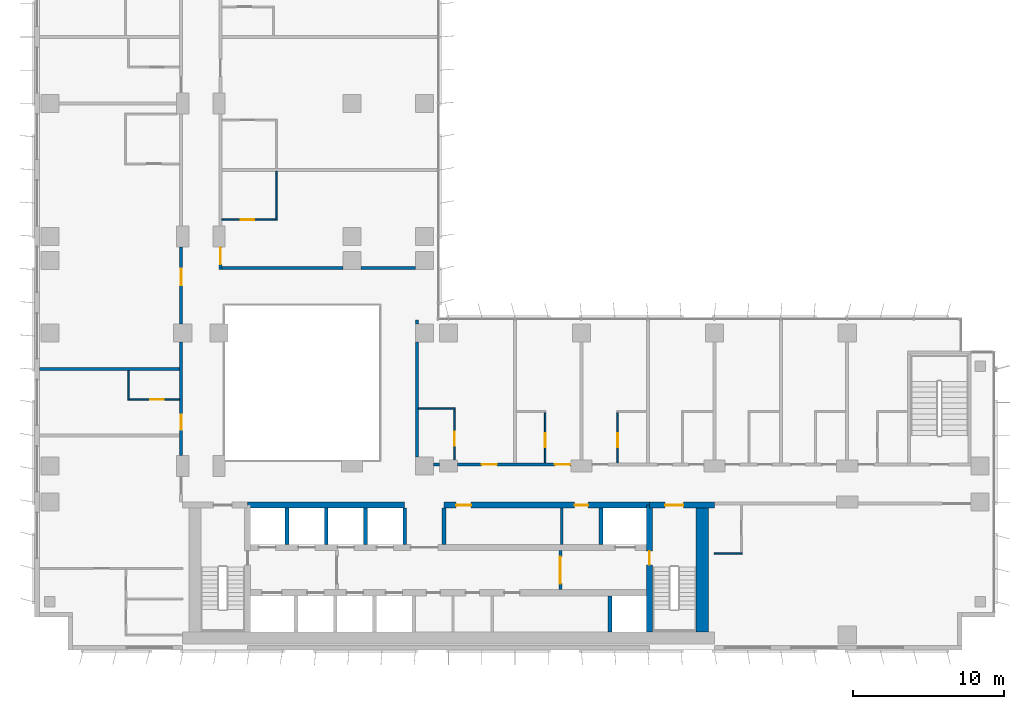
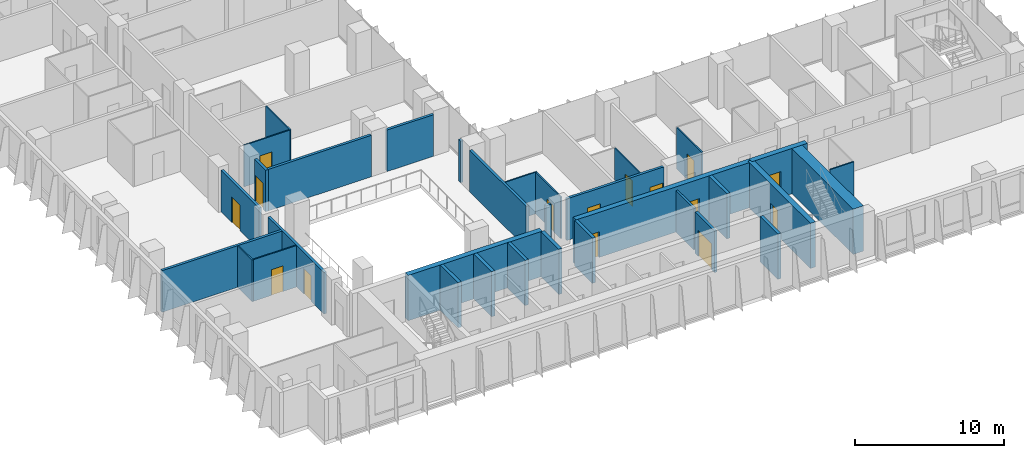
# One storey, part 13 of 22: 33 walls, 15 doors, 15 openings.
"""IFC4 building model written with IfcOpenShell, lengths in metres."""

from ifc_helpers import new_model, si_unit, direction, frame, frame_2d, origin, place, context, subcontext, project, spatial, rectangle, extrude, material, layer, layer_set, type_object, element, fill, save


model = new_model("IFC4")

# Units and contexts
model_context = context("Model", 3, precision=1e-05, world=origin(), true_north=direction((0.0, 1.0)))
body_context = subcontext(model_context, "Body", "Model", "MODEL_VIEW")
ifc_project = project(units=[si_unit("LENGTHUNIT", "METRE"), si_unit("AREAUNIT", "SQUARE_METRE"), si_unit("VOLUMEUNIT", "CUBIC_METRE"), si_unit("PLANEANGLEUNIT", "RADIAN"), si_unit("MASSUNIT", "GRAM", prefix="KILO")], contexts=[model_context])

# Site, building, storey
site_placement = place(None, origin())
site = spatial("IfcSite", under=ifc_project, at=site_placement, CompositionType="ELEMENT")
building_placement = place(site_placement, origin())
building = spatial("IfcBuilding", under=site, at=building_placement, Name="Kemantara Hotel Tower", CompositionType="ELEMENT")
storey_placement = place(building_placement, frame((0.0, 0.0, 111.10009765625)))
storey = spatial("IfcBuildingStorey", under=building, at=storey_placement, Name="L26", CompositionType="ELEMENT", Elevation=111.10009765625)

# Walls
ifc_material_1 = material(Name="Concrete fc 70 MPa", Category="concrete")
ifc_layer_1 = layer(ifc_material_1, 0.25)
ifc_layer_set_1 = layer_set([ifc_layer_1], Name="Concrete fc 70 MPa")
wall_type_1 = type_object("IfcWallType", Name="CORE WALL 250 FC70", PredefinedType="SHEAR", material=ifc_layer_set_1)
wall_1_placement = place(storey_placement, frame((38.10009765625, 1.199951171875, 0.0), z_axis=(0.0, 0.0, 1.0), x_axis=(0.0, 1.0, 0.0)))
element("IfcWall", 1, at=wall_1_placement, inside=storey, type_object=wall_type_1, Name="CORE WALL CW-DS38.1", PredefinedType="SHEAR", context=body_context, shape_type="SweptSolid", body=[
    extrude(rectangle(XDim=2.400146484375, YDim=0.25, at=frame_2d((1.2001953125, 0.0))), origin(), (0.0, 0.0, 1.0), 3.699951171875),
])
for number, where, z_axis, x_axis, name in (
    (2, (16.699951171875, 7.0, 0.0), (0.0, 0.0, 1.0), (0.0, 1.0, 0.0), "CORE WALL CW-DN16.7"),
    (3, (19.300048828125, 7.0, 0.0), (0.0, 0.0, 1.0), (0.0, 1.0, 0.0), "CORE WALL CW-DN19.3"),
    (4, (21.89990234375, 7.0, 0.0), (0.0, 0.0, 1.0), (0.0, 1.0, 0.0), "CORE WALL CW-DN21.9"),
    (5, (24.5, 7.0, 0.0), (0.0, 0.0, 1.0), (0.0, 1.0, 0.0), "CORE WALL CW-DN24.5"),
    (6, (27.10009765625, 7.0, 0.0), (0.0, 0.0, 1.0), (0.0, 1.0, 0.0), "CORE WALL CW-DN27.1"),
    (7, (37.5, 7.0, 0.0), (0.0, 0.0, 1.0), (0.0, 1.0, 0.0), "CORE WALL CW-DN37.5"),
):
    element("IfcWall", number, at=place(storey_placement, frame(where, z_axis=z_axis, x_axis=x_axis)), inside=storey, type_object=wall_type_1, Name=name, PredefinedType="SHEAR", context=body_context, shape_type="SweptSolid", body=[
        extrude(rectangle(XDim=2.39990234375, YDim=0.25, at=frame_2d((1.199951171875, 0.0))), origin(), (0.0, 0.0, 1.0), 3.699951171875),
    ])

# Wall, opening, door
ifc_layer_2 = layer(ifc_material_1, 0.39990234375)
ifc_layer_set_2 = layer_set([ifc_layer_2], Name="Concrete fc 70 MPa")
wall_type_2 = type_object("IfcWallType", Name="CORE WALL 400 FC70", PredefinedType="SHEAR", material=ifc_layer_set_2)
wall_2_placement = place(storey_placement, frame((40.699951171875, 9.60009765625, 0.0), z_axis=(0.0, 0.0, 1.0), x_axis=(1.0, 0.0, 0.0)))
wall_2 = element("IfcWall", 8, at=wall_2_placement, inside=storey, type_object=wall_type_2, Name="CORE WALL CW-N2", PredefinedType="SHEAR", context=body_context, shape_type="SweptSolid", body=[
    extrude(rectangle(XDim=4.300048828125, YDim=0.39990234375, at=frame_2d((2.14990234375, 0.0))), origin(), (0.0, 0.0, 1.0), 3.699951171875),
])
opening_1_placement = place(wall_2_placement, frame((1.050048828125, 0.0, 0.0)))
opening_1 = element("IfcOpeningElement", 9, at=opening_1_placement, cuts=wall_2, Name="Opening C19-ST2-C", PredefinedType="OPENING", context=body_context, shape_type="SweptSolid", body=[
    extrude(rectangle(XDim=1.199951171875, YDim=2.10009765625, at=frame_2d((0.60009765625, 1.050048828125))), frame((0.0, 0.2099609375, 0.0), z_axis=(0.0, -1.0, 0.0), x_axis=(1.0, 0.0, 0.0)), (0.0, 0.0, 1.0), 0.419921875),
])
ifc_material_2 = material(Name="Steel fire door", Category="steel")
door_type_1 = type_object("IfcDoorType", Name="Fire door FD90 1200 x 2100", OperationType="NOTDEFINED", PredefinedType="DOOR", material=ifc_material_2)
door_1_placement = place(opening_1_placement, frame((1.199951171875, 0.0, 0.0), z_axis=(0.0, 0.0, 1.0), x_axis=(-1.0, 0.0, 0.0)))
door_1 = element("IfcDoor", 10, at=door_1_placement, inside=storey, type_object=door_type_1, Name="Stair ST2 door to corridor", OperationType="SINGLE_SWING_RIGHT", OverallHeight=2.10009765625, OverallWidth=1.199951171875, PredefinedType="DOOR", context=body_context, shape_type="SweptSolid", body=[
    extrude(rectangle(XDim=1.199951171875, YDim=2.10009765625, at=frame_2d((0.60009765625, 1.050048828125))), frame((0.0, 0.02490234375, 0.0), z_axis=(0.0, -1.0, 0.0), x_axis=(1.0, 0.0, 0.0)), (0.0, 0.0, 1.0), 0.050048828125),
])
fill(opening_1, door_1)

# Wall
wall_3_placement = place(storey_placement, frame((14.10009765625, 9.60009765625, 0.0), z_axis=(0.0, 0.0, 1.0), x_axis=(1.0, 0.0, 0.0)))
element("IfcWall", 11, at=wall_3_placement, inside=storey, type_object=wall_type_2, Name="CORE WALL CW-NN1", PredefinedType="SHEAR", context=body_context, shape_type="SweptSolid", body=[
    extrude(rectangle(XDim=10.39990234375, YDim=0.39990234375, at=frame_2d((5.199951171875, 0.0))), origin(), (0.0, 0.0, 1.0), 3.699951171875),
])

# Wall, openings, doors
wall_4_placement = place(storey_placement, frame((27.10009765625, 9.60009765625, 0.0), z_axis=(0.0, 0.0, 1.0), x_axis=(1.0, 0.0, 0.0)))
wall_4 = element("IfcWall", 12, at=wall_4_placement, inside=storey, type_object=wall_type_2, Name="CORE WALL CW-NN2", PredefinedType="SHEAR", context=body_context, shape_type="SweptSolid", body=[
    extrude(rectangle(XDim=13.599853515625, YDim=0.39990234375, at=frame_2d((6.7998046875, 0.0))), origin(), (0.0, 0.0, 1.0), 3.699951171875),
])
opening_2_placement = place(wall_4_placement, frame((0.800048828125, 0.0, 0.0)))
opening_2 = element("IfcOpeningElement", 13, at=opening_2_placement, cuts=wall_4, Name="Opening C19-R-NE1", PredefinedType="OPENING", context=body_context, shape_type="SweptSolid", body=[
    extrude(rectangle(XDim=1.0, YDim=2.10009765625, at=frame_2d((0.5, 1.050048828125))), frame((0.0, 0.2099609375, 0.0), z_axis=(0.0, -1.0, 0.0), x_axis=(1.0, 0.0, 0.0)), (0.0, 0.0, 1.0), 0.419921875),
])
opening_3_placement = place(wall_4_placement, frame((8.64990234375, 0.0, 0.0)))
opening_3 = element("IfcOpeningElement", 14, at=opening_3_placement, cuts=wall_4, Name="Opening C19-R-NE2", PredefinedType="OPENING", context=body_context, shape_type="SweptSolid", body=[
    extrude(rectangle(XDim=0.89990234375, YDim=2.10009765625, at=frame_2d((0.449951171875, 1.050048828125))), frame((0.0, 0.2099609375, 0.0), z_axis=(0.0, -1.0, 0.0), x_axis=(1.0, 0.0, 0.0)), (0.0, 0.0, 1.0), 0.419921875),
])
door_type_2 = type_object("IfcDoorType", Name="Fire door FD30S 1000 x 2100", OperationType="NOTDEFINED", PredefinedType="DOOR", material=ifc_material_2)
door_2_placement = place(opening_2_placement, frame((1.0, 0.0, 0.0), z_axis=(0.0, 0.0, 1.0), x_axis=(-1.0, 0.0, 0.0)))
door_2 = element("IfcDoor", 15, at=door_2_placement, inside=storey, type_object=door_type_2, Name="Housekeeping Store door", OperationType="SINGLE_SWING_RIGHT", OverallHeight=2.10009765625, OverallWidth=1.0, PredefinedType="DOOR", context=body_context, shape_type="SweptSolid", body=[
    extrude(rectangle(XDim=1.0, YDim=2.10009765625, at=frame_2d((0.5, 1.050048828125))), frame((0.0, 0.02490234375, 0.0), z_axis=(0.0, -1.0, 0.0), x_axis=(1.0, 0.0, 0.0)), (0.0, 0.0, 1.0), 0.050048828125),
])
fill(opening_2, door_2)
door_type_3 = type_object("IfcDoorType", Name="Fire door FD60 900 x 2100", OperationType="NOTDEFINED", PredefinedType="DOOR", material=ifc_material_2)
door_3_placement = place(opening_3_placement, frame((0.89990234375, 0.0, 0.0), z_axis=(0.0, 0.0, 1.0), x_axis=(-1.0, 0.0, 0.0)))
door_3 = element("IfcDoor", 16, at=door_3_placement, inside=storey, type_object=door_type_3, Name="It Equipment Room door", OperationType="SINGLE_SWING_LEFT", OverallHeight=2.10009765625, OverallWidth=0.89990234375, PredefinedType="DOOR", context=body_context, shape_type="SweptSolid", body=[
    extrude(rectangle(XDim=0.89990234375, YDim=2.10009765625, at=frame_2d((0.449951171875, 1.050048828125))), frame((0.0, 0.02490234375, 0.0), z_axis=(0.0, -1.0, 0.0), x_axis=(1.0, 0.0, 0.0)), (0.0, 0.0, 1.0), 0.050048828125),
])
fill(opening_3, door_3)

# Wall, opening, door
wall_5_placement = place(storey_placement, frame((40.699951171875, 1.199951171875, 0.0), z_axis=(0.0, 0.0, 1.0), x_axis=(0.0, 1.0, 0.0)))
wall_5 = element("IfcWall", 17, at=wall_5_placement, inside=storey, type_object=wall_type_2, Name="CORE WALL CW-ST2W", PredefinedType="SHEAR", context=body_context, shape_type="SweptSolid", body=[
    extrude(rectangle(XDim=8.400146484375, YDim=0.39990234375, at=frame_2d((4.2001953125, 0.0))), origin(), (0.0, 0.0, 1.0), 3.699951171875),
])
opening_4_placement = place(wall_5_placement, frame((4.449951171875, 0.0, 0.0)))
opening_4 = element("IfcOpeningElement", 18, at=opening_4_placement, cuts=wall_5, Name="Opening C19-ST2-F", PredefinedType="OPENING", context=body_context, shape_type="SweptSolid", body=[
    extrude(rectangle(XDim=0.89990234375, YDim=2.10009765625, at=frame_2d((0.449951171875, 1.050048828125))), frame((0.0, 0.2099609375, 0.0), z_axis=(0.0, -1.0, 0.0), x_axis=(1.0, 0.0, 0.0)), (0.0, 0.0, 1.0), 0.419921875),
])
door_type_4 = type_object("IfcDoorType", Name="Fire door FD90 900 x 2100", OperationType="NOTDEFINED", PredefinedType="DOOR", material=ifc_material_2)
door_4_placement = place(opening_4_placement, frame((0.89990234375, 0.0, 0.0), z_axis=(0.0, 0.0, 1.0), x_axis=(-1.0, 0.0, 0.0)))
door_4 = element("IfcDoor", 19, at=door_4_placement, inside=storey, type_object=door_type_4, Name="Stair ST2 door to firefighting lobby", OperationType="SINGLE_SWING_LEFT", OverallHeight=2.10009765625, OverallWidth=0.89990234375, PredefinedType="DOOR", context=body_context, shape_type="SweptSolid", body=[
    extrude(rectangle(XDim=0.89990234375, YDim=2.10009765625, at=frame_2d((0.449951171875, 1.050048828125))), frame((0.0, 0.02490234375, 0.0), z_axis=(0.0, -1.0, 0.0), x_axis=(1.0, 0.0, 0.0)), (0.0, 0.0, 1.0), 0.050048828125),
])
fill(opening_4, door_4)

# Walls
ifc_layer_3 = layer(ifc_material_1, 0.800048828125)
ifc_layer_set_3 = layer_set([ifc_layer_3], Name="Concrete fc 70 MPa")
wall_type_3 = type_object("IfcWallType", Name="CORE WALL 800 FC70", PredefinedType="SHEAR", material=ifc_layer_set_3)
wall_6_placement = place(storey_placement, frame((44.199951171875, 1.199951171875, 0.0), z_axis=(0.0, 0.0, 1.0), x_axis=(0.0, 1.0, 0.0)))
element("IfcWall", 20, at=wall_6_placement, inside=storey, type_object=wall_type_3, Name="CORE WALL CW-E", PredefinedType="SHEAR", context=body_context, shape_type="SweptSolid", body=[
    extrude(rectangle(XDim=8.60009765625, YDim=0.800048828125, at=frame_2d((4.300048828125, 0.0))), origin(), (0.0, 0.0, 1.0), 3.699951171875),
])
ifc_material_3 = material(Name="Gypsum board partition, steel studs and mineral wool, 200 mm", Category="steel")
ifc_layer_4 = layer(ifc_material_3, 0.199951171875)
ifc_layer_set_4 = layer_set([ifc_layer_4], Name="Gypsum board partition, steel studs and mineral wool, 200 mm")
wall_type_4 = type_object("IfcWallType", Name="CORRIDOR WALL 200", PredefinedType="PARTITIONING", material=ifc_layer_set_4)
wall_7_placement = place(storey_placement, frame((26.400146484375, 12.300048828125, 0.0), z_axis=(0.0, 0.0, 1.0), x_axis=(1.0, 0.0, 0.0)))
element("IfcWall", 21, at=wall_7_placement, inside=storey, type_object=wall_type_4, Name="CORRIDOR WALL 200 003", PredefinedType="PARTITIONING", context=body_context, shape_type="SweptSolid", body=[
    extrude(rectangle(XDim=0.399658203125, YDim=0.199951171875, at=frame_2d((0.19970703125, 0.0))), origin(), (0.0, 0.0, 1.0), 3.39990234375),
])

# Wall, openings, doors
wall_8_placement = place(storey_placement, frame((28.0, 12.300048828125, 0.0), z_axis=(0.0, 0.0, 1.0), x_axis=(1.0, 0.0, 0.0)))
wall_8 = element("IfcWall", 22, at=wall_8_placement, inside=storey, type_object=wall_type_4, Name="CORRIDOR WALL 200 004", PredefinedType="PARTITIONING", context=body_context, shape_type="SweptSolid", body=[
    extrude(rectangle(XDim=7.5, YDim=0.199951171875, at=frame_2d((3.75, 0.0))), origin(), (0.0, 0.0, 1.0), 3.39990234375),
])
opening_5_placement = place(wall_8_placement, frame((1.599853515625, 0.0, 0.0)))
opening_5 = element("IfcOpeningElement", 23, at=opening_5_placement, cuts=wall_8, Name="Opening F11-003", PredefinedType="OPENING", context=body_context, shape_type="SweptSolid", body=[
    extrude(rectangle(XDim=1.0, YDim=2.10009765625, at=frame_2d((0.5, 1.050048828125))), frame((0.0, 0.10986328125, 0.0), z_axis=(0.0, -1.0, 0.0), x_axis=(1.0, 0.0, 0.0)), (0.0, 0.0, 1.0), 0.219970703125),
])
opening_6_placement = place(wall_8_placement, frame((6.449951171875, 0.0, 0.0)))
opening_6 = element("IfcOpeningElement", 24, at=opening_6_placement, cuts=wall_8, Name="Opening F11-005", PredefinedType="OPENING", context=body_context, shape_type="SweptSolid", body=[
    extrude(rectangle(XDim=1.0, YDim=2.10009765625, at=frame_2d((0.5, 1.050048828125))), frame((0.0, 0.10986328125, 0.0), z_axis=(0.0, -1.0, 0.0), x_axis=(1.0, 0.0, 0.0)), (0.0, 0.0, 1.0), 0.219970703125),
])
ifc_material_4 = material(Name="Hardwood veneer door leaf with steel frame", Category="steel")
door_type_5 = type_object("IfcDoorType", Name="GUEST ROOM DOOR 1000 X 2100 FD30S", OperationType="NOTDEFINED", PredefinedType="DOOR", material=ifc_material_4)
door_5_placement = place(opening_5_placement, origin())
door_5 = element("IfcDoor", 25, at=door_5_placement, inside=storey, type_object=door_type_5, Name="GUEST ROOM DOOR F11-003", OperationType="SINGLE_SWING_RIGHT", OverallHeight=2.10009765625, OverallWidth=1.0, PredefinedType="DOOR", context=body_context, shape_type="SweptSolid", body=[
    extrude(rectangle(XDim=1.0, YDim=2.10009765625, at=frame_2d((0.5, 1.050048828125))), frame((0.0, 0.02490234375, 0.0), z_axis=(0.0, -1.0, 0.0), x_axis=(1.0, 0.0, 0.0)), (0.0, 0.0, 1.0), 0.050048828125),
])
fill(opening_5, door_5)
door_6_placement = place(opening_6_placement, origin())
door_6 = element("IfcDoor", 26, at=door_6_placement, inside=storey, type_object=door_type_5, Name="GUEST ROOM DOOR F11-005", OperationType="SINGLE_SWING_RIGHT", OverallHeight=2.10009765625, OverallWidth=1.0, PredefinedType="DOOR", context=body_context, shape_type="SweptSolid", body=[
    extrude(rectangle(XDim=1.0, YDim=2.10009765625, at=frame_2d((0.5, 1.050048828125))), frame((0.0, 0.02490234375, 0.0), z_axis=(0.0, -1.0, 0.0), x_axis=(1.0, 0.0, 0.0)), (0.0, 0.0, 1.0), 0.050048828125),
])
fill(opening_6, door_6)

# Wall, opening, door
wall_9_placement = place(storey_placement, frame((9.699951171875, 12.900146484375, 0.0), z_axis=(0.0, 0.0, 1.0), x_axis=(0.0, 1.0, 0.0)))
wall_9 = element("IfcWall", 27, at=wall_9_placement, inside=storey, type_object=wall_type_4, Name="CORRIDOR WALL 200 017", PredefinedType="PARTITIONING", context=body_context, shape_type="SweptSolid", body=[
    extrude(rectangle(XDim=7.499755859375, YDim=0.199951171875, at=frame_2d((3.75, 0.0))), origin(), (0.0, 0.0, 1.0), 3.39990234375),
])
opening_7_placement = place(wall_9_placement, frame((1.699951171875, 0.0, 0.0)))
opening_7 = element("IfcOpeningElement", 28, at=opening_7_placement, cuts=wall_9, Name="Opening F11-021", PredefinedType="OPENING", context=body_context, shape_type="SweptSolid", body=[
    extrude(rectangle(XDim=1.0, YDim=2.10009765625, at=frame_2d((0.5, 1.050048828125))), frame((0.0, 0.10986328125, 0.0), z_axis=(0.0, -1.0, 0.0), x_axis=(1.0, 0.0, 0.0)), (0.0, 0.0, 1.0), 0.219970703125),
])
door_7_placement = place(opening_7_placement, origin())
door_7 = element("IfcDoor", 29, at=door_7_placement, inside=storey, type_object=door_type_5, Name="GUEST ROOM DOOR F11-021", OperationType="SINGLE_SWING_LEFT", OverallHeight=2.10009765625, OverallWidth=1.0, PredefinedType="DOOR", context=body_context, shape_type="SweptSolid", body=[
    extrude(rectangle(XDim=1.0, YDim=2.10009765625, at=frame_2d((0.5, 1.050048828125))), frame((0.0, 0.02490234375, 0.0), z_axis=(0.0, -1.0, 0.0), x_axis=(1.0, 0.0, 0.0)), (0.0, 0.0, 1.0), 0.050048828125),
])
fill(opening_7, door_7)

wall_10_placement = place(storey_placement, frame((9.699951171875, 21.60009765625, 0.0), z_axis=(0.0, 0.0, 1.0), x_axis=(0.0, 1.0, 0.0)))
wall_10 = element("IfcWall", 30, at=wall_10_placement, inside=storey, type_object=wall_type_4, Name="CORRIDOR WALL 200 018", PredefinedType="PARTITIONING", context=body_context, shape_type="SweptSolid", body=[
    extrude(rectangle(XDim=5.099853515625, YDim=0.199951171875, at=frame_2d((2.5498046875, 0.0))), origin(), (0.0, 0.0, 1.0), 3.39990234375),
])
opening_8_placement = place(wall_10_placement, frame((2.5498046875, 0.0, 0.0)))
opening_8 = element("IfcOpeningElement", 31, at=opening_8_placement, cuts=wall_10, Name="Opening F11-023", PredefinedType="OPENING", context=body_context, shape_type="SweptSolid", body=[
    extrude(rectangle(XDim=1.10009765625, YDim=2.10009765625, at=frame_2d((0.550048828125, 1.050048828125))), frame((0.0, 0.10986328125, 0.0), z_axis=(0.0, -1.0, 0.0), x_axis=(1.0, 0.0, 0.0)), (0.0, 0.0, 1.0), 0.219970703125),
])
door_type_6 = type_object("IfcDoorType", Name="SUITE ENTRANCE DOOR 1100 X 2100 FD30S", OperationType="NOTDEFINED", PredefinedType="DOOR", material=ifc_material_4)
door_8_placement = place(opening_8_placement, origin())
door_8 = element("IfcDoor", 32, at=door_8_placement, inside=storey, type_object=door_type_6, Name="SUITE ENTRANCE DOOR F11-023", OperationType="SINGLE_SWING_LEFT", OverallHeight=2.10009765625, OverallWidth=1.10009765625, PredefinedType="DOOR", context=body_context, shape_type="SweptSolid", body=[
    extrude(rectangle(XDim=1.10009765625, YDim=2.10009765625, at=frame_2d((0.550048828125, 1.050048828125))), frame((0.0, 0.02490234375, 0.0), z_axis=(0.0, -1.0, 0.0), x_axis=(1.0, 0.0, 0.0)), (0.0, 0.0, 1.0), 0.050048828125),
])
fill(opening_8, door_8)

wall_11_placement = place(storey_placement, frame((12.300048828125, 26.699951171875, 0.0), z_axis=(0.0, 0.0, 1.0), x_axis=(0.0, -1.0, 0.0)))
wall_11 = element("IfcWall", 33, at=wall_11_placement, inside=storey, type_object=wall_type_4, Name="CORRIDOR WALL 200 033", PredefinedType="PARTITIONING", context=body_context, shape_type="SweptSolid", body=[
    extrude(rectangle(XDim=1.5, YDim=0.199951171875, at=frame_2d((0.75, 0.0))), origin(), (0.0, 0.0, 1.0), 3.39990234375),
])
opening_9_placement = place(wall_11_placement, frame((0.0498046875, 0.0, 0.0)))
opening_9 = element("IfcOpeningElement", 34, at=opening_9_placement, cuts=wall_11, Name="Opening F11-037", PredefinedType="OPENING", context=body_context, shape_type="SweptSolid", body=[
    extrude(rectangle(XDim=1.10009765625, YDim=2.10009765625, at=frame_2d((0.550048828125, 1.050048828125))), frame((0.0, 0.10986328125, 0.0), z_axis=(0.0, -1.0, 0.0), x_axis=(1.0, 0.0, 0.0)), (0.0, 0.0, 1.0), 0.219970703125),
])
door_9_placement = place(opening_9_placement, origin())
door_9 = element("IfcDoor", 35, at=door_9_placement, inside=storey, type_object=door_type_6, Name="SUITE ENTRANCE DOOR F11-037", OperationType="SINGLE_SWING_RIGHT", OverallHeight=2.10009765625, OverallWidth=1.10009765625, PredefinedType="DOOR", context=body_context, shape_type="SweptSolid", body=[
    extrude(rectangle(XDim=1.10009765625, YDim=2.10009765625, at=frame_2d((0.550048828125, 1.050048828125))), frame((0.0, 0.02490234375, 0.0), z_axis=(0.0, -1.0, 0.0), x_axis=(1.0, 0.0, 0.0)), (0.0, 0.0, 1.0), 0.050048828125),
])
fill(opening_9, door_9)

# Walls
ifc_layer_5 = layer(ifc_material_3, 0.199951171875)
ifc_layer_set_5 = layer_set([ifc_layer_5], Name="Gypsum board partition, steel studs and mineral wool, 200 mm")
wall_type_5 = type_object("IfcWallType", Name="GUEST ROOM PARTY WALL 200", PredefinedType="PARTITIONING", material=ifc_layer_set_5)
wall_12_placement = place(storey_placement, frame((25.300048828125, 12.800048828125, 0.0), z_axis=(0.0, 0.0, 1.0), x_axis=(0.0, 1.0, 0.0)))
element("IfcWall", 36, at=wall_12_placement, inside=storey, type_object=wall_type_5, Name="GUEST ROOM PARTY WALL 200 008", PredefinedType="PARTITIONING", context=body_context, shape_type="SweptSolid", body=[
    extrude(rectangle(XDim=7.599853515625, YDim=0.199951171875, at=frame_2d((3.7998046875, 0.0))), origin(), (0.0, 0.0, 1.0), 3.39990234375),
])
wall_13_placement = place(storey_placement, frame((25.300048828125, 21.60009765625, 0.0), z_axis=(0.0, 0.0, 1.0), x_axis=(0.0, 1.0, 0.0)))
element("IfcWall", 37, at=wall_13_placement, inside=storey, type_object=wall_type_5, Name="GUEST ROOM PARTY WALL 200 009", PredefinedType="PARTITIONING", context=body_context, shape_type="SweptSolid", body=[
    extrude(rectangle(XDim=0.27001953125, YDim=0.199951171875, at=frame_2d((0.135009765625, 0.0))), origin(), (0.0, 0.0, 1.0), 3.39990234375),
])
wall_14_placement = place(storey_placement, frame((0.31005859375, 18.60009765625, 0.0), z_axis=(0.0, 0.0, 1.0), x_axis=(1.0, 0.0, 0.0)))
element("IfcWall", 38, at=wall_14_placement, inside=storey, type_object=wall_type_5, Name="GUEST ROOM PARTY WALL 200 026", PredefinedType="PARTITIONING", context=body_context, shape_type="SweptSolid", body=[
    extrude(rectangle(XDim=9.2900390625, YDim=0.199951171875, at=frame_2d((4.64501953125, 0.0))), origin(), (0.0, 0.0, 1.0), 3.39990234375),
])
wall_15_placement = place(storey_placement, frame((12.39990234375, 25.300048828125, 0.0), z_axis=(0.0, 0.0, 1.0), x_axis=(1.0, 0.0, 0.0)))
element("IfcWall", 39, at=wall_15_placement, inside=storey, type_object=wall_type_5, Name="GUEST ROOM PARTY WALL 200 040", PredefinedType="PARTITIONING", context=body_context, shape_type="SweptSolid", body=[
    extrude(rectangle(XDim=8.0, YDim=0.199951171875, at=frame_2d((4.0, 0.0))), origin(), (0.0, 0.0, 1.0), 3.39990234375),
])
wall_16_placement = place(storey_placement, frame((21.60009765625, 25.300048828125, 0.0), z_axis=(0.0, 0.0, 1.0), x_axis=(1.0, 0.0, 0.0)))
element("IfcWall", 40, at=wall_16_placement, inside=storey, type_object=wall_type_5, Name="GUEST ROOM PARTY WALL 200 041", PredefinedType="PARTITIONING", context=body_context, shape_type="SweptSolid", body=[
    extrude(rectangle(XDim=3.599853515625, YDim=0.199951171875, at=frame_2d((1.7998046875, 0.0))), origin(), (0.0, 0.0, 1.0), 3.39990234375),
])
ifc_material_5 = material(Name="Gypsum board partition")
ifc_layer_6 = layer(ifc_material_5, 0.14990234375)
ifc_layer_set_6 = layer_set([ifc_layer_6], Name="Gypsum board partition")
wall_type_6 = type_object("IfcWallType", Name="Gypsum board partition 150 mm", PredefinedType="PARTITIONING", material=ifc_layer_set_6)
wall_17_placement = place(storey_placement, frame((34.89990234375, 7.0, 0.0), z_axis=(0.0, 0.0, 1.0), x_axis=(0.0, 1.0, 0.0)))
element("IfcWall", 41, at=wall_17_placement, inside=storey, type_object=wall_type_6, Name="Core room partition", PredefinedType="PARTITIONING", context=body_context, shape_type="SweptSolid", body=[
    extrude(rectangle(XDim=2.39990234375, YDim=0.14990234375, at=frame_2d((1.199951171875, 0.0))), origin(), (0.0, 0.0, 1.0), 3.39990234375),
])

# Wall, opening, door
ifc_material_6 = material(Name="Gypsum board shaft wall")
ifc_layer_7 = layer(ifc_material_6, 0.199951171875)
ifc_layer_set_7 = layer_set([ifc_layer_7], Name="Gypsum board shaft wall")
wall_type_7 = type_object("IfcWallType", Name="Gypsum board shaft wall 200 mm", PredefinedType="PARTITIONING", material=ifc_layer_set_7)
wall_18_placement = place(storey_placement, frame((34.800048828125, 4.0, 0.0), z_axis=(0.0, 0.0, 1.0), x_axis=(0.0, 1.0, 0.0)))
wall_18 = element("IfcWall", 42, at=wall_18_placement, inside=storey, type_object=wall_type_7, Name="Firefighting lobby partition east", PredefinedType="PARTITIONING", context=body_context, shape_type="SweptSolid", body=[
    extrude(rectangle(XDim=2.60009765625, YDim=0.199951171875, at=frame_2d((1.300048828125, 0.0))), origin(), (0.0, 0.0, 1.0), 3.39990234375),
])
opening_10_placement = place(wall_18_placement, frame((0.39990234375, 0.0, 0.0)))
opening_10 = element("IfcOpeningElement", 43, at=opening_10_placement, cuts=wall_18, Name="Opening C19-FFE", PredefinedType="OPENING", context=body_context, shape_type="SweptSolid", body=[
    extrude(rectangle(XDim=1.800048828125, YDim=2.10009765625, at=frame_2d((0.89990234375, 1.050048828125))), frame((0.0, 0.10986328125, 0.0), z_axis=(0.0, -1.0, 0.0), x_axis=(1.0, 0.0, 0.0)), (0.0, 0.0, 1.0), 0.219970703125),
])
door_type_7 = type_object("IfcDoorType", Name="Fire door pair FD60 1800 x 2100", OperationType="DOUBLE_DOOR_SINGLE_SWING", PredefinedType="DOOR", material=ifc_material_2)
door_10_placement = place(opening_10_placement, frame((1.800048828125, 0.0, 0.0), z_axis=(0.0, 0.0, 1.0), x_axis=(-1.0, 0.0, 0.0)))
door_10 = element("IfcDoor", 44, at=door_10_placement, inside=storey, type_object=door_type_7, Name="Firefighting lobby door east", OperationType="DOUBLE_DOOR_SINGLE_SWING", OverallHeight=2.10009765625, OverallWidth=1.800048828125, PredefinedType="DOOR", context=body_context, shape_type="SweptSolid", body=[
    extrude(rectangle(XDim=1.800048828125, YDim=2.10009765625, at=frame_2d((0.89990234375, 1.050048828125))), frame((0.0, 0.02490234375, 0.0), z_axis=(0.0, -1.0, 0.0), x_axis=(1.0, 0.0, 0.0)), (0.0, 0.0, 1.0), 0.050048828125),
])
fill(opening_10, door_10)

# Walls
ifc_material_7 = material(Name="Gypsum board partition on steel studs, 100 mm", Category="steel")
ifc_layer_8 = layer(ifc_material_7, 0.10009765625)
ifc_layer_set_8 = layer_set([ifc_layer_8], Name="Gypsum board partition on steel studs, 100 mm")
wall_type_8 = type_object("IfcWallType", Name="ROOM PARTITION 100", PredefinedType="PARTITIONING", material=ifc_layer_set_8)
wall_19_placement = place(storey_placement, frame((45.0, 6.39990234375, 0.0), z_axis=(0.0, 0.0, 1.0), x_axis=(1.0, 0.0, 0.0)))
element("IfcWall", 45, at=wall_19_placement, inside=storey, type_object=wall_type_8, Name="ROOM PARTITION 100 050", PredefinedType="PARTITIONING", context=body_context, shape_type="SweptSolid", body=[
    extrude(rectangle(XDim=1.85009765625, YDim=0.10009765625, at=frame_2d((0.925048828125, 0.0))), origin(), (0.0, 0.0, 1.0), 3.39990234375),
])
wall_20_placement = place(storey_placement, frame((25.39990234375, 16.0, 0.0), z_axis=(0.0, 0.0, 1.0), x_axis=(1.0, 0.0, 0.0)))
element("IfcWall", 46, at=wall_20_placement, inside=storey, type_object=wall_type_8, Name="ROOM PARTITION 100 052", PredefinedType="PARTITIONING", context=body_context, shape_type="SweptSolid", body=[
    extrude(rectangle(XDim=2.4501953125, YDim=0.10009765625, at=frame_2d((1.22509765625, 0.0))), origin(), (0.0, 0.0, 1.0), 3.39990234375),
])

# Wall, opening, door
wall_21_placement = place(storey_placement, frame((27.800048828125, 12.60009765625, 0.0), z_axis=(0.0, 0.0, 1.0), x_axis=(0.0, 1.0, 0.0)))
wall_21 = element("IfcWall", 47, at=wall_21_placement, inside=storey, type_object=wall_type_8, Name="ROOM PARTITION 100 053", PredefinedType="PARTITIONING", context=body_context, shape_type="SweptSolid", body=[
    extrude(rectangle(XDim=3.349853515625, YDim=0.10009765625, at=frame_2d((1.6748046875, 0.0))), origin(), (0.0, 0.0, 1.0), 3.39990234375),
])
opening_11_placement = place(wall_21_placement, frame((0.949951171875, 0.0, 0.0)))
opening_11 = element("IfcOpeningElement", 48, at=opening_11_placement, cuts=wall_21, Name="Opening F11-004", PredefinedType="OPENING", context=body_context, shape_type="SweptSolid", body=[
    extrude(rectangle(XDim=0.89990234375, YDim=2.10009765625, at=frame_2d((0.449951171875, 1.050048828125))), frame((0.0, 0.06005859375, 0.0), z_axis=(0.0, -1.0, 0.0), x_axis=(1.0, 0.0, 0.0)), (0.0, 0.0, 1.0), 0.1201171875),
])
door_type_8 = type_object("IfcDoorType", Name="BATHROOM DOOR 900 X 2100", OperationType="NOTDEFINED", PredefinedType="DOOR", material=ifc_material_4)
door_11_placement = place(opening_11_placement, origin())
door_11 = element("IfcDoor", 49, at=door_11_placement, inside=storey, type_object=door_type_8, Name="BATHROOM DOOR F11-004", OperationType="SINGLE_SWING_LEFT", OverallHeight=2.10009765625, OverallWidth=0.89990234375, PredefinedType="DOOR", context=body_context, shape_type="SweptSolid", body=[
    extrude(rectangle(XDim=0.89990234375, YDim=2.10009765625, at=frame_2d((0.449951171875, 1.050048828125))), frame((0.0, 0.02490234375, 0.0), z_axis=(0.0, -1.0, 0.0), x_axis=(1.0, 0.0, 0.0)), (0.0, 0.0, 1.0), 0.050048828125),
])
fill(opening_11, door_11)

wall_22_placement = place(storey_placement, frame((33.800048828125, 12.39990234375, 0.0), z_axis=(0.0, 0.0, 1.0), x_axis=(0.0, 1.0, 0.0)))
wall_22 = element("IfcWall", 50, at=wall_22_placement, inside=storey, type_object=wall_type_8, Name="ROOM PARTITION 100 060", PredefinedType="PARTITIONING", context=body_context, shape_type="SweptSolid", body=[
    extrude(rectangle(XDim=3.35009765625, YDim=0.10009765625, at=frame_2d((1.675048828125, 0.0))), origin(), (0.0, 0.0, 1.0), 3.39990234375),
])
opening_12_placement = place(wall_22_placement, frame((1.050048828125, 0.0, 0.0)))
opening_12 = element("IfcOpeningElement", 51, at=opening_12_placement, cuts=wall_22, Name="Opening F11-006", PredefinedType="OPENING", context=body_context, shape_type="SweptSolid", body=[
    extrude(rectangle(XDim=0.89990234375, YDim=2.10009765625, at=frame_2d((0.449951171875, 1.050048828125))), frame((0.0, 0.06005859375, 0.0), z_axis=(0.0, -1.0, 0.0), x_axis=(1.0, 0.0, 0.0)), (0.0, 0.0, 1.0), 0.1201171875),
])
door_12_placement = place(opening_12_placement, origin())
door_12 = element("IfcDoor", 52, at=door_12_placement, inside=storey, type_object=door_type_8, Name="BATHROOM DOOR F11-006", OperationType="SINGLE_SWING_LEFT", OverallHeight=2.10009765625, OverallWidth=0.89990234375, PredefinedType="DOOR", context=body_context, shape_type="SweptSolid", body=[
    extrude(rectangle(XDim=0.89990234375, YDim=2.10009765625, at=frame_2d((0.449951171875, 1.050048828125))), frame((0.0, 0.02490234375, 0.0), z_axis=(0.0, -1.0, 0.0), x_axis=(1.0, 0.0, 0.0)), (0.0, 0.0, 1.0), 0.050048828125),
])
fill(opening_12, door_12)

wall_23_placement = place(storey_placement, frame((38.60009765625, 15.75, 0.0), z_axis=(0.0, 0.0, 1.0), x_axis=(0.0, -1.0, 0.0)))
wall_23 = element("IfcWall", 53, at=wall_23_placement, inside=storey, type_object=wall_type_8, Name="ROOM PARTITION 100 061", PredefinedType="PARTITIONING", context=body_context, shape_type="SweptSolid", body=[
    extrude(rectangle(XDim=3.35009765625, YDim=0.10009765625, at=frame_2d((1.675048828125, 0.0))), origin(), (0.0, 0.0, 1.0), 3.39990234375),
])
opening_13_placement = place(wall_23_placement, frame((1.39990234375, 0.0, 0.0)))
opening_13 = element("IfcOpeningElement", 54, at=opening_13_placement, cuts=wall_23, Name="Opening F11-008", PredefinedType="OPENING", context=body_context, shape_type="SweptSolid", body=[
    extrude(rectangle(XDim=0.89990234375, YDim=2.10009765625, at=frame_2d((0.449951171875, 1.050048828125))), frame((0.0, 0.06005859375, 0.0), z_axis=(0.0, -1.0, 0.0), x_axis=(1.0, 0.0, 0.0)), (0.0, 0.0, 1.0), 0.1201171875),
])
door_13_placement = place(opening_13_placement, origin())
door_13 = element("IfcDoor", 55, at=door_13_placement, inside=storey, type_object=door_type_8, Name="BATHROOM DOOR F11-008", OperationType="SINGLE_SWING_RIGHT", OverallHeight=2.10009765625, OverallWidth=0.89990234375, PredefinedType="DOOR", context=body_context, shape_type="SweptSolid", body=[
    extrude(rectangle(XDim=0.89990234375, YDim=2.10009765625, at=frame_2d((0.449951171875, 1.050048828125))), frame((0.0, 0.02490234375, 0.0), z_axis=(0.0, -1.0, 0.0), x_axis=(1.0, 0.0, 0.0)), (0.0, 0.0, 1.0), 0.050048828125),
])
fill(opening_13, door_13)

# Wall
wall_24_placement = place(storey_placement, frame((6.199951171875, 16.550048828125, 0.0), z_axis=(0.0, 0.0, 1.0), x_axis=(0.0, 1.0, 0.0)))
element("IfcWall", 56, at=wall_24_placement, inside=storey, type_object=wall_type_8, Name="ROOM PARTITION 100 071", PredefinedType="PARTITIONING", context=body_context, shape_type="SweptSolid", body=[
    extrude(rectangle(XDim=1.949951171875, YDim=0.10009765625, at=frame_2d((0.97509765625, 0.0))), origin(), (0.0, 0.0, 1.0), 3.39990234375),
])

# Wall, opening, door
wall_25_placement = place(storey_placement, frame((6.25, 16.60009765625, 0.0), z_axis=(0.0, 0.0, 1.0), x_axis=(1.0, 0.0, 0.0)))
wall_25 = element("IfcWall", 57, at=wall_25_placement, inside=storey, type_object=wall_type_8, Name="ROOM PARTITION 100 075", PredefinedType="PARTITIONING", context=body_context, shape_type="SweptSolid", body=[
    extrude(rectangle(XDim=3.35009765625, YDim=0.10009765625, at=frame_2d((1.675048828125, 0.0))), origin(), (0.0, 0.0, 1.0), 3.39990234375),
])
opening_14_placement = place(wall_25_placement, frame((1.39990234375, 0.0, 0.0)))
opening_14 = element("IfcOpeningElement", 58, at=opening_14_placement, cuts=wall_25, Name="Opening F11-022", PredefinedType="OPENING", context=body_context, shape_type="SweptSolid", body=[
    extrude(rectangle(XDim=0.89990234375, YDim=2.10009765625, at=frame_2d((0.449951171875, 1.050048828125))), frame((0.0, 0.06005859375, 0.0), z_axis=(0.0, -1.0, 0.0), x_axis=(1.0, 0.0, 0.0)), (0.0, 0.0, 1.0), 0.1201171875),
])
door_14_placement = place(opening_14_placement, origin())
door_14 = element("IfcDoor", 59, at=door_14_placement, inside=storey, type_object=door_type_8, Name="BATHROOM DOOR F11-022", OperationType="SINGLE_SWING_RIGHT", OverallHeight=2.10009765625, OverallWidth=0.89990234375, PredefinedType="DOOR", context=body_context, shape_type="SweptSolid", body=[
    extrude(rectangle(XDim=0.89990234375, YDim=2.10009765625, at=frame_2d((0.449951171875, 1.050048828125))), frame((0.0, 0.02490234375, 0.0), z_axis=(0.0, -1.0, 0.0), x_axis=(1.0, 0.0, 0.0)), (0.0, 0.0, 1.0), 0.050048828125),
])
fill(opening_14, door_14)

# Wall
wall_26_placement = place(storey_placement, frame((16.0, 28.449951171875, 0.0), z_axis=(0.0, 0.0, 1.0), x_axis=(0.0, 1.0, 0.0)))
element("IfcWall", 60, at=wall_26_placement, inside=storey, type_object=wall_type_8, Name="ROOM PARTITION 100 088", PredefinedType="PARTITIONING", context=body_context, shape_type="SweptSolid", body=[
    extrude(rectangle(XDim=3.25, YDim=0.10009765625, at=frame_2d((1.625, 0.0))), origin(), (0.0, 0.0, 1.0), 3.39990234375),
])

# Wall, opening, door
wall_27_placement = place(storey_placement, frame((12.39990234375, 28.5, 0.0), z_axis=(0.0, 0.0, 1.0), x_axis=(1.0, 0.0, 0.0)))
wall_27 = element("IfcWall", 61, at=wall_27_placement, inside=storey, type_object=wall_type_8, Name="ROOM PARTITION 100 092", PredefinedType="PARTITIONING", context=body_context, shape_type="SweptSolid", body=[
    extrude(rectangle(XDim=3.550048828125, YDim=0.10009765625, at=frame_2d((1.77490234375, 0.0))), origin(), (0.0, 0.0, 1.0), 3.39990234375),
])
opening_15_placement = place(wall_27_placement, frame((1.25, 0.0, 0.0)))
opening_15 = element("IfcOpeningElement", 62, at=opening_15_placement, cuts=wall_27, Name="Opening F11-038", PredefinedType="OPENING", context=body_context, shape_type="SweptSolid", body=[
    extrude(rectangle(XDim=0.89990234375, YDim=2.10009765625, at=frame_2d((0.449951171875, 1.050048828125))), frame((0.0, 0.06005859375, 0.0), z_axis=(0.0, -1.0, 0.0), x_axis=(1.0, 0.0, 0.0)), (0.0, 0.0, 1.0), 0.1201171875),
])
door_15_placement = place(opening_15_placement, origin())
door_15 = element("IfcDoor", 63, at=door_15_placement, inside=storey, type_object=door_type_8, Name="BATHROOM DOOR F11-038", OperationType="SINGLE_SWING_LEFT", OverallHeight=2.10009765625, OverallWidth=0.89990234375, PredefinedType="DOOR", context=body_context, shape_type="SweptSolid", body=[
    extrude(rectangle(XDim=0.89990234375, YDim=2.10009765625, at=frame_2d((0.449951171875, 1.050048828125))), frame((0.0, 0.02490234375, 0.0), z_axis=(0.0, -1.0, 0.0), x_axis=(1.0, 0.0, 0.0)), (0.0, 0.0, 1.0), 0.050048828125),
])
fill(opening_15, door_15)

save(model, "model.ifc")
